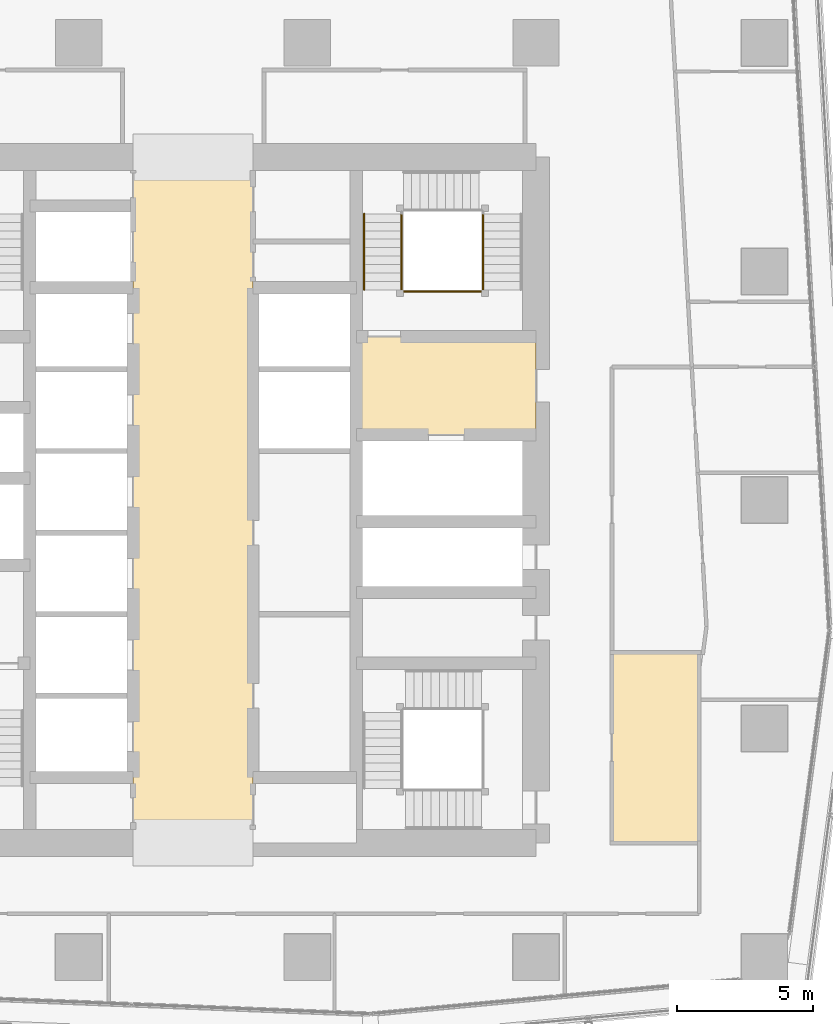
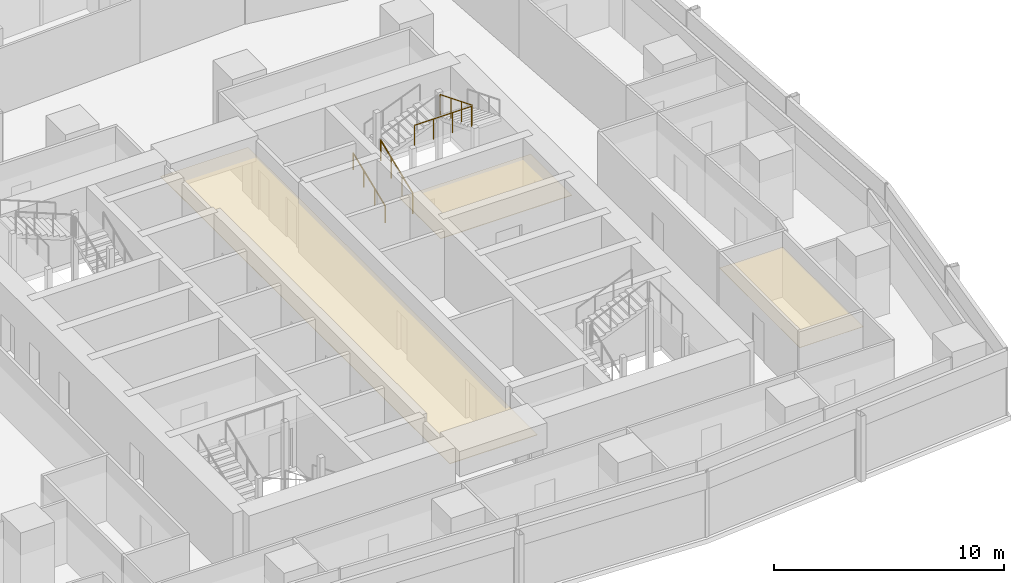
# One storey, part 37 of 39: 4 railings, 3 coverings.
"""IFC4 building model written with IfcOpenShell, lengths in metres."""

from ifc_helpers import new_model, si_unit, direction, frame, origin, origin_2d, place, context, subcontext, project, spatial, polyline, circle, outline, extrude, material, layer, layer_set, type_object, element, save


model = new_model("IFC4")

# Units and contexts
model_context = context("Model", 3, precision=1e-05, world=origin(), true_north=direction((0.0, 1.0)))
body_context = subcontext(model_context, "Body", "Model", "MODEL_VIEW")
ifc_project = project(units=[si_unit("LENGTHUNIT", "METRE"), si_unit("AREAUNIT", "SQUARE_METRE"), si_unit("VOLUMEUNIT", "CUBIC_METRE"), si_unit("PLANEANGLEUNIT", "RADIAN"), si_unit("MASSUNIT", "GRAM", prefix="KILO")], contexts=[model_context])

# Site, building, storey
site_placement = place(None, origin())
site = spatial("IfcSite", under=ifc_project, at=site_placement, CompositionType="ELEMENT")
building_placement = place(site_placement, origin())
building = spatial("IfcBuilding", under=site, at=building_placement, Name="Rekha Terrace Tower", CompositionType="ELEMENT")
storey_placement = place(building_placement, frame((0.0, 0.0, 180.199951171875)))
storey = spatial("IfcBuildingStorey", under=building, at=storey_placement, Name="L45", CompositionType="ELEMENT", Elevation=180.199951171875)

# Coverings
ifc_material_1 = material(Name="Fibre cement board", Category="finish")
ifc_layer_1 = layer(ifc_material_1, 0.014892578125)
ifc_layer_set_1 = layer_set([ifc_layer_1], Name="Fibre cement board")
covering_type_1 = type_object("IfcCoveringType", Name="CL2 moisture-resistant board ceiling", PredefinedType="CEILING", material=ifc_layer_set_1)
covering_1_placement = place(storey_placement, frame((0.0, 0.0, 2.5849609375)))
element("IfcCovering", 1, at=covering_1_placement, inside=storey, type_object=covering_type_1, Name="Ceiling L45-WCM2", PredefinedType="CEILING", context=body_context, shape_type="SweptSolid", body=[
    extrude(outline(polyline([(56.39990234375, 28.0), (53.199951171875, 28.0), (53.199951171875, 21.0), (56.39990234375, 21.0), (56.39990234375, 28.0)])), origin(), (0.0, 0.0, 1.0), 0.01513671875),
])
ifc_material_2 = material(Name="Powder-coated aluminium pan", Category="aluminium")
ifc_layer_2 = layer(ifc_material_2, 0.030029296875)
ifc_layer_set_2 = layer_set([ifc_layer_2], Name="Powder-coated aluminium pan")
covering_type_2 = type_object("IfcCoveringType", Name="CL3 300x1200 metal pan ceiling", PredefinedType="CEILING", material=ifc_layer_set_2)
covering_2_placement = place(storey_placement, frame((0.0, 0.0, 2.570068359375)))
element("IfcCovering", 2, at=covering_2_placement, inside=storey, type_object=covering_type_2, Name="Ceiling L45-LOBBY", PredefinedType="CEILING", context=body_context, shape_type="SweptSolid", body=[
    extrude(outline(polyline([(40.0, 46.199951171875), (35.60009765625, 46.199951171875), (35.60009765625, 21.0), (40.0, 21.0), (40.0, 46.199951171875)])), origin(), (0.0, 0.0, 1.0), 0.030029296875),
])
covering_3_placement = place(storey_placement, frame((0.0, 0.0, 2.570068359375)))
element("IfcCovering", 3, at=covering_3_placement, inside=storey, type_object=covering_type_2, Name="Ceiling L45-FLB2", PredefinedType="CEILING", context=body_context, shape_type="SweptSolid", body=[
    extrude(outline(polyline([(50.39990234375, 39.60009765625), (43.800048828125, 39.60009765625), (43.800048828125, 36.0), (50.39990234375, 36.0), (50.39990234375, 39.60009765625)])), origin(), (0.0, 0.0, 1.0), 0.030029296875),
])

# Railings
ifc_material_3 = material(Name="Stainless steel balustrade", Category="steel")
railing_type_1 = type_object("IfcRailingType", Name="GR1 1100 stair guard", PredefinedType="GUARDRAIL", material=ifc_material_3)
railing_1_placement = place(storey_placement, frame((45.465087890625, 41.324951171875, 0.125)))
element("IfcRailing", 4, at=railing_1_placement, inside=storey, type_object=railing_type_1, Name="Guard ST2 L45 flight 1", PredefinedType="GUARDRAIL", context=body_context, shape_type="SweptSolid", body=[
    extrude(circle(Radius=0.02392578125, at=origin_2d()), frame((0.0, 0.0, 1.076171875), z_axis=(0.0, 0.927443287984, 0.373963831907), x_axis=(-1.0, 0.0, 0.0)), (0.0, 0.0, 1.0), 3.00830078125),
    extrude(circle(Radius=0.02099609375, at=origin_2d()), origin(), (0.0, 0.0, 1.0), 1.052001953125),
    extrude(circle(Radius=0.02099609375, at=origin_2d()), frame((0.0, 0.929931640625, 0.375)), (0.0, 0.0, 1.0), 1.052001953125),
    extrude(circle(Radius=0.02099609375, at=origin_2d()), frame((0.0, 1.860107421875, 0.75)), (0.0, 0.0, 1.0), 1.052001953125),
    extrude(circle(Radius=0.02099609375, at=origin_2d()), frame((0.0, 2.7900390625, 1.125)), (0.0, 0.0, 1.0), 1.052001953125),
])
railing_2_placement = place(storey_placement, frame((48.4599609375, 44.114990234375, 2.625)))
element("IfcRailing", 5, at=railing_2_placement, inside=storey, type_object=railing_type_1, Name="Guard ST2 L45 flight 3", PredefinedType="GUARDRAIL", context=body_context, shape_type="SweptSolid", body=[
    extrude(circle(Radius=0.02392578125, at=origin_2d()), frame((0.0, 0.0, 1.076171875), z_axis=(0.0, -0.927443287984, 0.373963831907), x_axis=(1.0, 0.0, 0.0)), (0.0, 0.0, 1.0), 3.00830078125),
    extrude(circle(Radius=0.02099609375, at=origin_2d()), origin(), (0.0, 0.0, 1.0), 1.052001953125),
    extrude(circle(Radius=0.02099609375, at=origin_2d()), frame((0.0, -0.929931640625, 0.375)), (0.0, 0.0, 1.0), 1.052001953125),
    extrude(circle(Radius=0.02099609375, at=origin_2d()), frame((0.0, -1.860107421875, 0.75)), (0.0, 0.0, 1.0), 1.052001953125),
    extrude(circle(Radius=0.02099609375, at=origin_2d()), frame((0.0, -2.7900390625, 1.125)), (0.0, 0.0, 1.0), 1.052001953125),
])
railing_3_placement = place(storey_placement, frame((45.52490234375, 41.264892578125, 3.75)))
element("IfcRailing", 6, at=railing_3_placement, inside=storey, type_object=railing_type_1, Name="Guard ST2 L45 landing 4", PredefinedType="GUARDRAIL", context=body_context, shape_type="SweptSolid", body=[
    extrude(circle(Radius=0.02392578125, at=origin_2d()), frame((0.0, 0.0, 1.076171875), z_axis=(1.0, 0.0, 0.0), x_axis=(0.0, 1.0, 0.0)), (0.0, 0.0, 1.0), 2.875),
    extrude(circle(Radius=0.02099609375, at=origin_2d()), origin(), (0.0, 0.0, 1.0), 1.052001953125),
    extrude(circle(Radius=0.02099609375, at=origin_2d()), frame((0.958251953125, 0.0, 0.0)), (0.0, 0.0, 1.0), 1.052001953125),
    extrude(circle(Radius=0.02099609375, at=origin_2d()), frame((1.916748046875, 0.0, 0.0)), (0.0, 0.0, 1.0), 1.052001953125),
    extrude(circle(Radius=0.02099609375, at=origin_2d()), frame((2.875, 0.0, 0.0)), (0.0, 0.0, 1.0), 1.052001953125),
])
ifc_material_4 = material(Name="Stainless steel tube", Category="steel")
railing_type_2 = type_object("IfcRailingType", Name="HR1 900 stair handrail", PredefinedType="HANDRAIL", material=ifc_material_4)
railing_4_placement = place(storey_placement, frame((44.0849609375, 41.324951171875, 0.125)))
element("IfcRailing", 7, at=railing_4_placement, inside=storey, type_object=railing_type_2, Name="Handrail ST2 L45 flight 1", PredefinedType="HANDRAIL", context=body_context, shape_type="SweptSolid", body=[
    extrude(circle(Radius=0.02392578125, at=origin_2d()), frame((0.0, 0.0, 0.8759765625), z_axis=(0.0, 0.927443287984, 0.373963831907), x_axis=(-1.0, 0.0, 0.0)), (0.0, 0.0, 1.0), 3.00830078125),
    extrude(circle(Radius=0.02099609375, at=origin_2d()), origin(), (0.0, 0.0, 1.0), 0.851806640625),
    extrude(circle(Radius=0.02099609375, at=origin_2d()), frame((0.0, 0.929931640625, 0.375)), (0.0, 0.0, 1.0), 0.851806640625),
    extrude(circle(Radius=0.02099609375, at=origin_2d()), frame((0.0, 1.860107421875, 0.75)), (0.0, 0.0, 1.0), 0.851806640625),
    extrude(circle(Radius=0.02099609375, at=origin_2d()), frame((0.0, 2.7900390625, 1.125)), (0.0, 0.0, 1.0), 0.851806640625),
])

save(model, "model.ifc")
